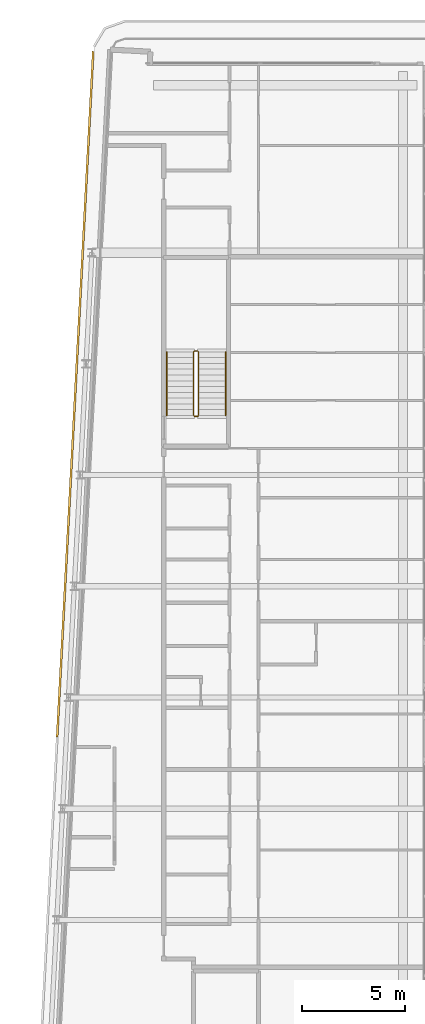
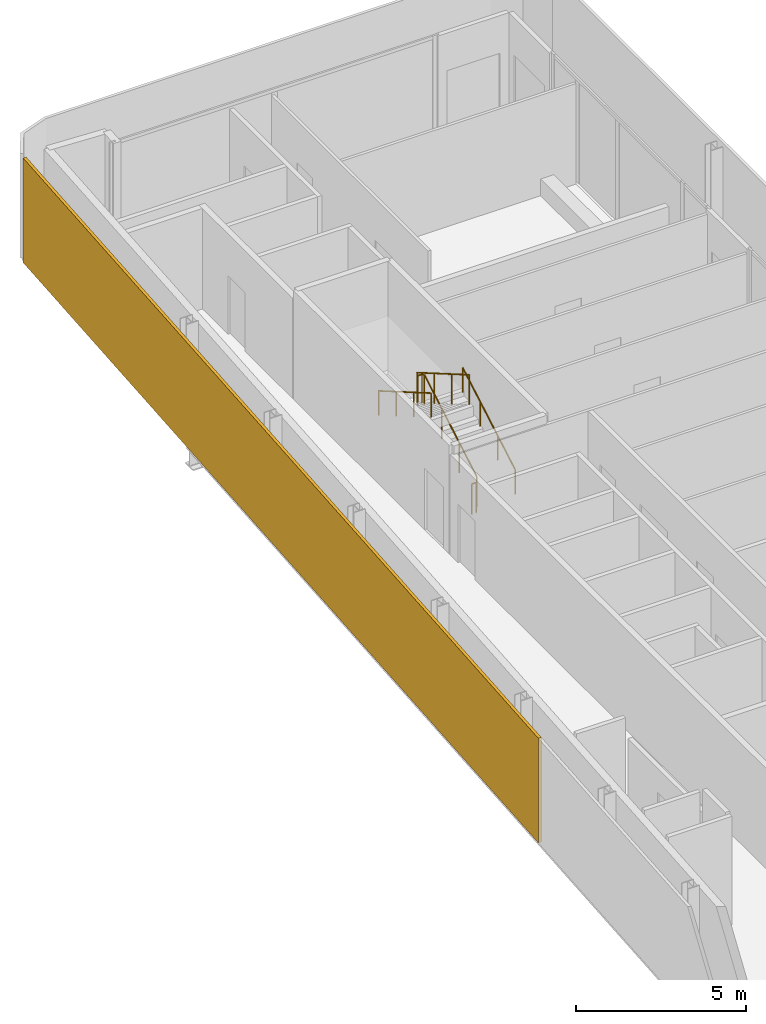
# One storey, part 19 of 21: 4 railings, 1 shading device.
"""IFC4 building model written with IfcOpenShell, lengths in metres."""

from ifc_helpers import new_model, si_unit, direction, frame, origin, origin_2d, place, context, subcontext, project, spatial, rectangle, circle, extrude, material, layer, layer_set, type_object, element, save


model = new_model("IFC4")

# Units and contexts
model_context = context("Model", 3, precision=1e-05, world=origin(), true_north=direction((0.0, 1.0)))
body_context = subcontext(model_context, "Body", "Model", "MODEL_VIEW")
ifc_project = project(units=[si_unit("LENGTHUNIT", "METRE"), si_unit("AREAUNIT", "SQUARE_METRE"), si_unit("VOLUMEUNIT", "CUBIC_METRE"), si_unit("PLANEANGLEUNIT", "RADIAN"), si_unit("MASSUNIT", "GRAM", prefix="KILO")], contexts=[model_context])

# Site, building, storey
site_placement = place(None, origin())
site = spatial("IfcSite", under=ifc_project, at=site_placement, CompositionType="ELEMENT")
building_placement = place(site_placement, origin())
building = spatial("IfcBuilding", under=site, at=building_placement, Name="Kheshtan School and Residences Tower", CompositionType="ELEMENT")
storey_placement = place(building_placement, frame((0.0, 0.0, 278.60009765625)))
storey = spatial("IfcBuildingStorey", under=building, at=storey_placement, Name="L65", CompositionType="ELEMENT", Elevation=278.60009765625)

# Shading device
ifc_material_1 = material(Name="Terracotta baguette, extruded ceramic", Category="masonry")
ifc_layer = layer(ifc_material_1, 0.10009765625)
ifc_layer_set = layer_set([ifc_layer], Name="Ledge screen, terracotta baguettes")
shading_device_type = type_object("IfcShadingDeviceType", Name="Ledge screen, terracotta baguettes", PredefinedType="USERDEFINED", material=ifc_layer_set)
shading_device_placement = place(storey_placement, frame((28.9990234375, 81.93408203125, 0.0), z_axis=(0.0, 0.0, 1.0), x_axis=(0.052562536748, 0.998617634398, 0.0)))
element("IfcShadingDevice", 1, at=shading_device_placement, inside=storey, type_object=shading_device_type, Name="Screen L65 5", ObjectType="BAGUETTE", PredefinedType="USERDEFINED", context=body_context, shape_type="SweptSolid", body=[
    extrude(rectangle(XDim=33.341064453125, YDim=0.10009765625, at=origin_2d()), origin(), (0.0, 0.0, 1.0), 3.75),
])

# Railings
ifc_material_2 = material(Name="Stainless steel balustrade", Category="steel")
railing_type_1 = type_object("IfcRailingType", Name="Stair guard 1100", PredefinedType="GUARDRAIL", material=ifc_material_2)
railing_1_placement = place(storey_placement, frame((35.0, 80.89990234375, 0.162353515625)))
element("IfcRailing", 2, at=railing_1_placement, inside=storey, type_object=railing_type_1, Name="L65 ST3 stair guard 1", PredefinedType="GUARDRAIL", context=body_context, shape_type="SweptSolid", body=[
    extrude(circle(Radius=0.02392578125, at=origin_2d()), frame((0.0, 0.0, 1.076171875), z_axis=(0.0, 0.864890721111, 0.501960198159), x_axis=(-1.0, 0.0, 0.0)), (0.0, 0.0, 1.0), 3.561279296875),
    extrude(circle(Radius=0.02392578125, at=origin_2d()), frame((0.0, 3.080078125, 2.86376953125), z_axis=(-0.707106781187, 0.707106781187, 0.0), x_axis=(-0.707106781187, -0.707106781187, 0.0)), (0.0, 0.0, 1.0), 0.07080078125),
    extrude(circle(Radius=0.02392578125, at=origin_2d()), frame((-0.050048828125, 3.130126953125, 2.86376953125), z_axis=(-1.0, 0.0, 0.0), x_axis=(0.0, -1.0, 0.0)), (0.0, 0.0, 1.0), 0.14990234375),
    extrude(circle(Radius=0.02392578125, at=origin_2d()), frame((-0.199951171875, 3.130126953125, 2.86376953125), z_axis=(-0.282583949758, -0.282583949758, 0.916674763849), x_axis=(0.707106781187, -0.707106781187, 0.0)), (0.0, 0.0, 1.0), 0.177001953125),
    extrude(circle(Radius=0.02392578125, at=origin_2d()), frame((-0.25, 3.080078125, 3.02587890625), z_axis=(0.0, -0.864890721111, 0.501960198159), x_axis=(1.0, 0.0, 0.0)), (0.0, 0.0, 1.0), 3.561279296875),
    extrude(circle(Radius=0.02099609375, at=origin_2d()), origin(), (0.0, 0.0, 1.0), 1.052001953125),
    extrude(circle(Radius=0.02099609375, at=origin_2d()), frame((0.0, 1.026611328125, 0.595947265625)), (0.0, 0.0, 1.0), 1.052001953125),
    extrude(circle(Radius=0.02099609375, at=origin_2d()), frame((0.0, 2.053466796875, 1.191650390625)), (0.0, 0.0, 1.0), 1.052001953125),
    extrude(circle(Radius=0.02099609375, at=origin_2d()), frame((0.0, 3.080078125, 1.78759765625)), (0.0, 0.0, 1.0), 1.052001953125),
    extrude(circle(Radius=0.02099609375, at=origin_2d()), frame((-0.050048828125, 3.130126953125, 1.78759765625)), (0.0, 0.0, 1.0), 1.052001953125),
    extrude(circle(Radius=0.02099609375, at=origin_2d()), frame((-0.199951171875, 3.130126953125, 1.78759765625)), (0.0, 0.0, 1.0), 1.052001953125),
    extrude(circle(Radius=0.02099609375, at=origin_2d()), frame((-0.25, 3.080078125, 1.949951171875)), (0.0, 0.0, 1.0), 1.052001953125),
    extrude(circle(Radius=0.02099609375, at=origin_2d()), frame((-0.25, 2.053466796875, 2.5458984375)), (0.0, 0.0, 1.0), 1.052001953125),
    extrude(circle(Radius=0.02099609375, at=origin_2d()), frame((-0.25, 1.026611328125, 3.1416015625)), (0.0, 0.0, 1.0), 1.052001953125),
    extrude(circle(Radius=0.02099609375, at=origin_2d()), frame((-0.25, 0.0, 3.737548828125)), (0.0, 0.0, 1.0), 1.052001953125),
])
railing_2_placement = place(storey_placement, frame((34.949951171875, 80.85009765625, 0.0)))
element("IfcRailing", 3, at=railing_2_placement, inside=storey, type_object=railing_type_1, Name="L65 ST3 stair guard 2", PredefinedType="GUARDRAIL", context=body_context, shape_type="SweptSolid", body=[
    extrude(circle(Radius=0.02392578125, at=origin_2d()), frame((0.0, 0.0, 1.076171875), z_axis=(-1.0, 0.0, 0.0), x_axis=(0.0, -1.0, 0.0)), (0.0, 0.0, 1.0), 0.14990234375),
    extrude(circle(Radius=0.02099609375, at=origin_2d()), origin(), (0.0, 0.0, 1.0), 1.052001953125),
    extrude(circle(Radius=0.02099609375, at=origin_2d()), frame((-0.14990234375, 0.0, 0.0)), (0.0, 0.0, 1.0), 1.052001953125),
])
ifc_material_3 = material(Name="Stainless steel handrail", Category="steel")
railing_type_2 = type_object("IfcRailingType", Name="Stair handrail 900", PredefinedType="HANDRAIL", material=ifc_material_3)
railing_3_placement = place(storey_placement, frame((36.300048828125, 80.89990234375, 0.162353515625)))
element("IfcRailing", 4, at=railing_3_placement, inside=storey, type_object=railing_type_2, Name="L65 ST3 stair handrail 1", PredefinedType="HANDRAIL", context=body_context, shape_type="SweptSolid", body=[
    extrude(circle(Radius=0.02392578125, at=origin_2d()), frame((0.0, 0.0, 0.8759765625), z_axis=(0.0, 0.864890721111, 0.501960198159), x_axis=(-1.0, 0.0, 0.0)), (0.0, 0.0, 1.0), 3.561279296875),
    extrude(circle(Radius=0.02099609375, at=origin_2d()), origin(), (0.0, 0.0, 1.0), 0.851806640625),
    extrude(circle(Radius=0.02099609375, at=origin_2d()), frame((0.0, 1.026611328125, 0.595947265625)), (0.0, 0.0, 1.0), 0.851806640625),
    extrude(circle(Radius=0.02099609375, at=origin_2d()), frame((0.0, 2.053466796875, 1.191650390625)), (0.0, 0.0, 1.0), 0.851806640625),
    extrude(circle(Radius=0.02099609375, at=origin_2d()), frame((0.0, 3.080078125, 1.78759765625)), (0.0, 0.0, 1.0), 0.851806640625),
])
railing_4_placement = place(storey_placement, frame((33.449951171875, 83.97998046875, 2.1123046875)))
element("IfcRailing", 5, at=railing_4_placement, inside=storey, type_object=railing_type_2, Name="L65 ST3 stair handrail 2", PredefinedType="HANDRAIL", context=body_context, shape_type="SweptSolid", body=[
    extrude(circle(Radius=0.02392578125, at=origin_2d()), frame((0.0, 0.0, 0.8759765625), z_axis=(0.0, -0.864890721111, 0.501960198159), x_axis=(1.0, 0.0, 0.0)), (0.0, 0.0, 1.0), 3.561279296875),
    extrude(circle(Radius=0.02099609375, at=origin_2d()), origin(), (0.0, 0.0, 1.0), 0.851806640625),
    extrude(circle(Radius=0.02099609375, at=origin_2d()), frame((0.0, -1.026611328125, 0.595947265625)), (0.0, 0.0, 1.0), 0.851806640625),
    extrude(circle(Radius=0.02099609375, at=origin_2d()), frame((0.0, -2.053466796875, 1.191650390625)), (0.0, 0.0, 1.0), 0.851806640625),
    extrude(circle(Radius=0.02099609375, at=origin_2d()), frame((0.0, -3.080078125, 1.78759765625)), (0.0, 0.0, 1.0), 0.851806640625),
])

save(model, "model.ifc")
